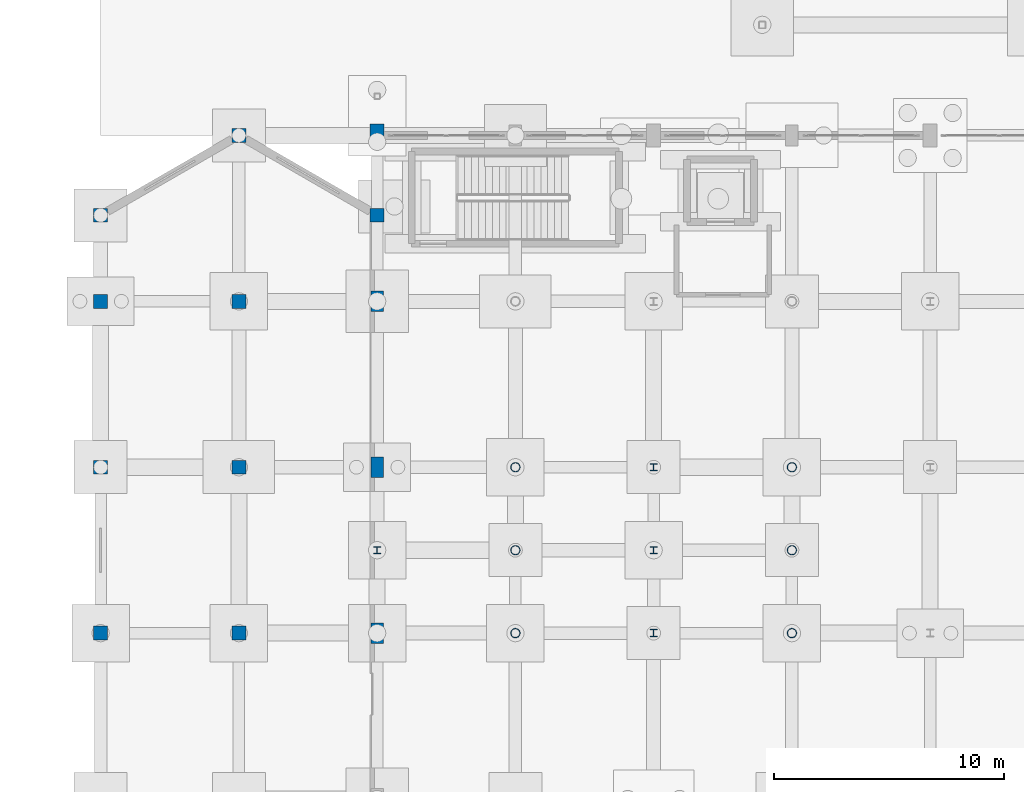
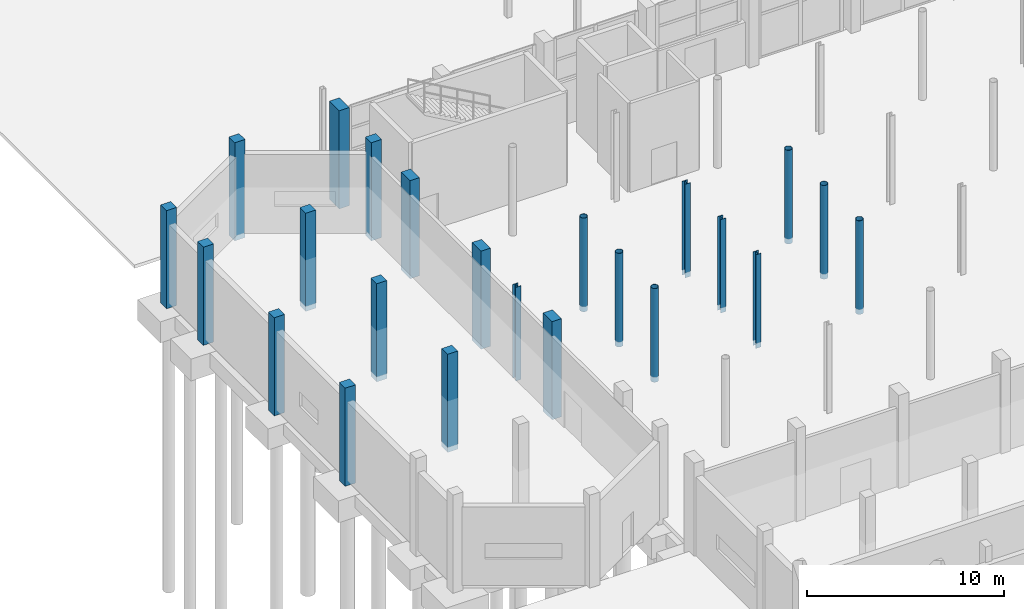
# One storey, part 23 of 103: 23 columns.
"""IFC4 building model written with IfcOpenShell, lengths in metres."""

from ifc_helpers import new_model, si_unit, direction, frame, origin, origin_2d, place, context, subcontext, project, spatial, rectangle, hollow_circle, i_section, extrude, material, material_profile, profile_set, type_object, element, save


model = new_model("IFC4")

# Units and contexts
model_context = context("Model", 3, precision=1e-05, world=origin(), true_north=direction((0.0, 1.0)))
body_context = subcontext(model_context, "Body", "Model", "MODEL_VIEW")
ifc_project = project(units=[si_unit("LENGTHUNIT", "METRE"), si_unit("AREAUNIT", "SQUARE_METRE"), si_unit("VOLUMEUNIT", "CUBIC_METRE"), si_unit("PLANEANGLEUNIT", "RADIAN"), si_unit("MASSUNIT", "GRAM", prefix="KILO")], contexts=[model_context])

# Site, building, storey
site_placement = place(None, origin())
site = spatial("IfcSite", under=ifc_project, at=site_placement, CompositionType="ELEMENT")
building_placement = place(site_placement, origin())
building = spatial("IfcBuilding", under=site, at=building_placement, Name="Dunvalen Ferry Terminal", CompositionType="ELEMENT")
storey_placement = place(building_placement, origin())
storey = spatial("IfcBuildingStorey", under=building, at=storey_placement, Name="L00", CompositionType="ELEMENT", Elevation=0.0)

# Columns
ifc_material_1 = material(Name="Steel S355", Category="steel")
ifc_material_profile_1 = material_profile(ifc_material_1, hollow_circle(Radius=0.203125, WallThickness=0.01611328125, at=origin_2d()), Name="Steel S355")
ifc_profile_set_1 = profile_set([ifc_material_profile_1], Name="Steel S355")
column_type_1 = type_object("IfcColumnType", Name="STR-COL-CHS406", PredefinedType="COLUMN", material=ifc_profile_set_1)
for number, where, z_axis, x_axis, name in (
    (1, (18.0, 64.800048828125, -0.320068359375), (0.0, 0.0, 1.0), (1.0, 0.0, 0.0), "L00 Waiting Lounge Mezzanine Column 18-64"),
    (2, (18.0, 68.39990234375, -0.320068359375), (0.0, 0.0, 1.0), (1.0, 0.0, 0.0), "L00 Waiting Lounge Mezzanine Column 18-68"),
    (3, (18.0, 72.0, -0.320068359375), (0.0, 0.0, 1.0), (1.0, 0.0, 0.0), "L00 Waiting Lounge Mezzanine Column 18-72"),
    (4, (30.0, 64.800048828125, -0.320068359375), (0.0, 0.0, 1.0), (1.0, 0.0, 0.0), "L00 Waiting Lounge Mezzanine Column 30-64"),
    (5, (30.0, 68.39990234375, -0.320068359375), (0.0, 0.0, 1.0), (1.0, 0.0, 0.0), "L00 Waiting Lounge Mezzanine Column 30-68"),
    (6, (30.0, 72.0, -0.320068359375), (0.0, 0.0, 1.0), (1.0, 0.0, 0.0), "L00 Waiting Lounge Mezzanine Column 30-72"),
):
    element("IfcColumn", number, at=place(storey_placement, frame(where, z_axis=z_axis, x_axis=x_axis)), inside=storey, type_object=column_type_1, Name=name, PredefinedType="COLUMN", context=body_context, shape_type="SweptSolid", body=[
        extrude(hollow_circle(Radius=0.203125, WallThickness=0.01611328125, at=origin_2d()), origin(), (0.0, 0.0, 1.0), 5.800048828125),
    ])
ifc_material_2 = material(Name="Concrete C40/50", Category="concrete")
ifc_material_profile_2 = material_profile(ifc_material_2, rectangle(XDim=0.60009765625, YDim=1.0, at=origin_2d()), Name="Concrete C40/50")
ifc_profile_set_2 = profile_set([ifc_material_profile_2], Name="Concrete C40/50")
column_type_2 = type_object("IfcColumnType", Name="STR-COL-PIER1000", PredefinedType="COLUMN", material=ifc_profile_set_2)
column_placement = place(storey_placement, frame((12.0, 86.39990234375, -0.320068359375), z_axis=(0.0, 0.0, 1.0), x_axis=(1.0, 0.0, 0.0)))
element("IfcColumn", 7, at=column_placement, inside=storey, type_object=column_type_2, Name="L00 Departure Hall Perimeter Pier 16", PredefinedType="COLUMN", context=body_context, shape_type="SweptSolid", body=[
    extrude(rectangle(XDim=0.60009765625, YDim=1.0, at=origin_2d()), origin(), (0.0, 0.0, 1.0), 6.080078125),
])
ifc_material_profile_3 = material_profile(ifc_material_2, rectangle(XDim=0.550048828125, YDim=0.89990234375, at=origin_2d()), Name="Concrete C40/50")
ifc_profile_set_3 = profile_set([ifc_material_profile_3], Name="Concrete C40/50")
column_type_3 = type_object("IfcColumnType", Name="STR-COL-PIER900", PredefinedType="COLUMN", material=ifc_profile_set_3)
for number, where, z_axis, x_axis, name in (
    (8, (12.0, 64.800048828125, -0.320068359375), (0.0, 0.0, 1.0), (1.0, 0.0, 0.0), "L00 Departure Hall Perimeter Pier 32"),
    (9, (12.0, 72.0, -0.320068359375), (0.0, 0.0, 1.0), (1.0, 0.0, 0.0), "L00 Departure Hall Perimeter Pier 33"),
    (10, (12.0, 79.199951171875, -0.320068359375), (0.0, 0.0, 1.0), (1.0, 0.0, 0.0), "L00 Departure Hall Perimeter Pier 34"),
):
    element("IfcColumn", number, at=place(storey_placement, frame(where, z_axis=z_axis, x_axis=x_axis)), inside=storey, type_object=column_type_3, Name=name, PredefinedType="COLUMN", context=body_context, shape_type="SweptSolid", body=[
        extrude(rectangle(XDim=0.550048828125, YDim=0.89990234375, at=origin_2d()), origin(), (0.0, 0.0, 1.0), 6.080078125),
    ])
ifc_material_profile_4 = material_profile(ifc_material_2, rectangle(XDim=0.60009765625, YDim=0.60009765625, at=origin_2d()), Name="Concrete C40/50")
ifc_profile_set_4 = profile_set([ifc_material_profile_4], Name="Concrete C40/50")
column_type_4 = type_object("IfcColumnType", Name="STR-COL-RC600", PredefinedType="COLUMN", material=ifc_profile_set_4)
for number, where, z_axis, x_axis, name in (
    (11, (0.0, 64.800048828125, -0.320068359375), (0.0, 0.0, 1.0), (1.0, 0.0, 0.0), "L00 West Baggage Annex Column 03"),
    (12, (0.0, 72.0, -0.320068359375), (0.0, 0.0, 1.0), (1.0, 0.0, 0.0), "L00 West Baggage Annex Column 04"),
    (13, (0.0, 79.199951171875, -0.320068359375), (0.0, 0.0, 1.0), (1.0, 0.0, 0.0), "L00 West Baggage Annex Column 05"),
    (14, (0.0, 82.93603515625, -0.320068359375), (0.0, 0.0, 1.0), (1.0, 0.0, 0.0), "L00 West Baggage Annex Column 06"),
    (15, (6.0, 64.800048828125, -0.320068359375), (0.0, 0.0, 1.0), (1.0, 0.0, 0.0), "L00 West Baggage Annex Column 09"),
    (16, (6.0, 72.0, -0.320068359375), (0.0, 0.0, 1.0), (1.0, 0.0, 0.0), "L00 West Baggage Annex Column 10"),
    (17, (6.0, 79.199951171875, -0.320068359375), (0.0, 0.0, 1.0), (1.0, 0.0, 0.0), "L00 West Baggage Annex Column 11"),
    (18, (6.0, 86.39990234375, -0.320068359375), (0.0, 0.0, 1.0), (1.0, 0.0, 0.0), "L00 West Baggage Annex Column 12"),
    (19, (12.0, 82.93603515625, -0.320068359375), (0.0, 0.0, 1.0), (1.0, 0.0, 0.0), "L00 West Baggage Annex Column 18"),
):
    element("IfcColumn", number, at=place(storey_placement, frame(where, z_axis=z_axis, x_axis=x_axis)), inside=storey, type_object=column_type_4, Name=name, PredefinedType="COLUMN", context=body_context, shape_type="SweptSolid", body=[
        extrude(rectangle(XDim=0.60009765625, YDim=0.60009765625, at=origin_2d()), origin(), (0.0, 0.0, 1.0), 6.080078125),
    ])
ifc_material_profile_5 = material_profile(ifc_material_1, i_section(OverallWidth=0.30908203125, OverallDepth=0.320556640625, WebThickness=0.013916015625, FlangeThickness=0.021728515625, FilletRadius=0.01513671875, at=origin_2d()), Name="Steel S355")
ifc_profile_set_5 = profile_set([ifc_material_profile_5], Name="Steel S355")
column_type_5 = type_object("IfcColumnType", Name="STR-COL-UKC305", PredefinedType="COLUMN", material=ifc_profile_set_5)
for number, where, z_axis, x_axis, name in (
    (20, (12.0, 68.39990234375, -0.320068359375), (0.0, 0.0, 1.0), (1.0, 0.0, 0.0), "L00 Waiting Lounge Mezzanine Column 12-68"),
    (21, (24.0, 64.800048828125, -0.320068359375), (0.0, 0.0, 1.0), (1.0, 0.0, 0.0), "L00 Waiting Lounge Mezzanine Column 24-64"),
    (22, (24.0, 68.39990234375, -0.320068359375), (0.0, 0.0, 1.0), (1.0, 0.0, 0.0), "L00 Waiting Lounge Mezzanine Column 24-68"),
    (23, (24.0, 72.0, -0.320068359375), (0.0, 0.0, 1.0), (1.0, 0.0, 0.0), "L00 Waiting Lounge Mezzanine Column 24-72"),
):
    element("IfcColumn", number, at=place(storey_placement, frame(where, z_axis=z_axis, x_axis=x_axis)), inside=storey, type_object=column_type_5, Name=name, PredefinedType="COLUMN", context=body_context, shape_type="SweptSolid", body=[
        extrude(i_section(OverallWidth=0.30908203125, OverallDepth=0.320556640625, WebThickness=0.013916015625, FlangeThickness=0.021728515625, FilletRadius=0.01513671875, at=origin_2d()), origin(), (0.0, 0.0, 1.0), 5.800048828125),
    ])

save(model, "model.ifc")
